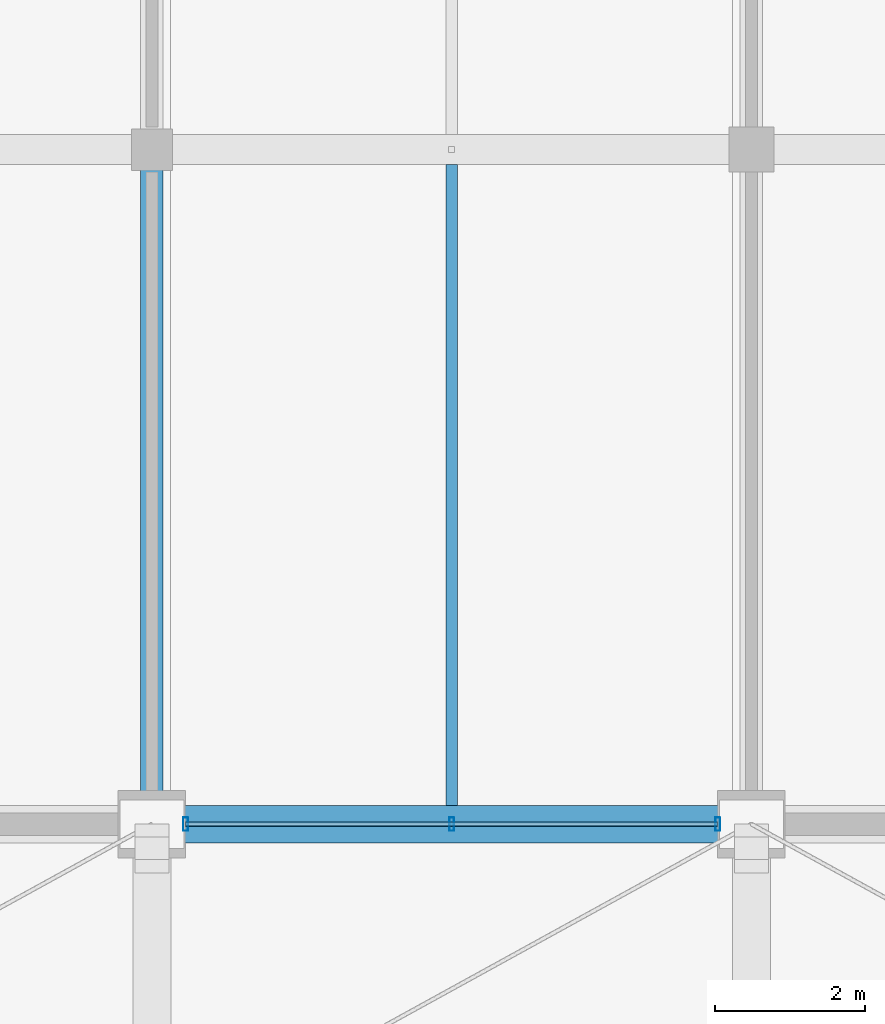
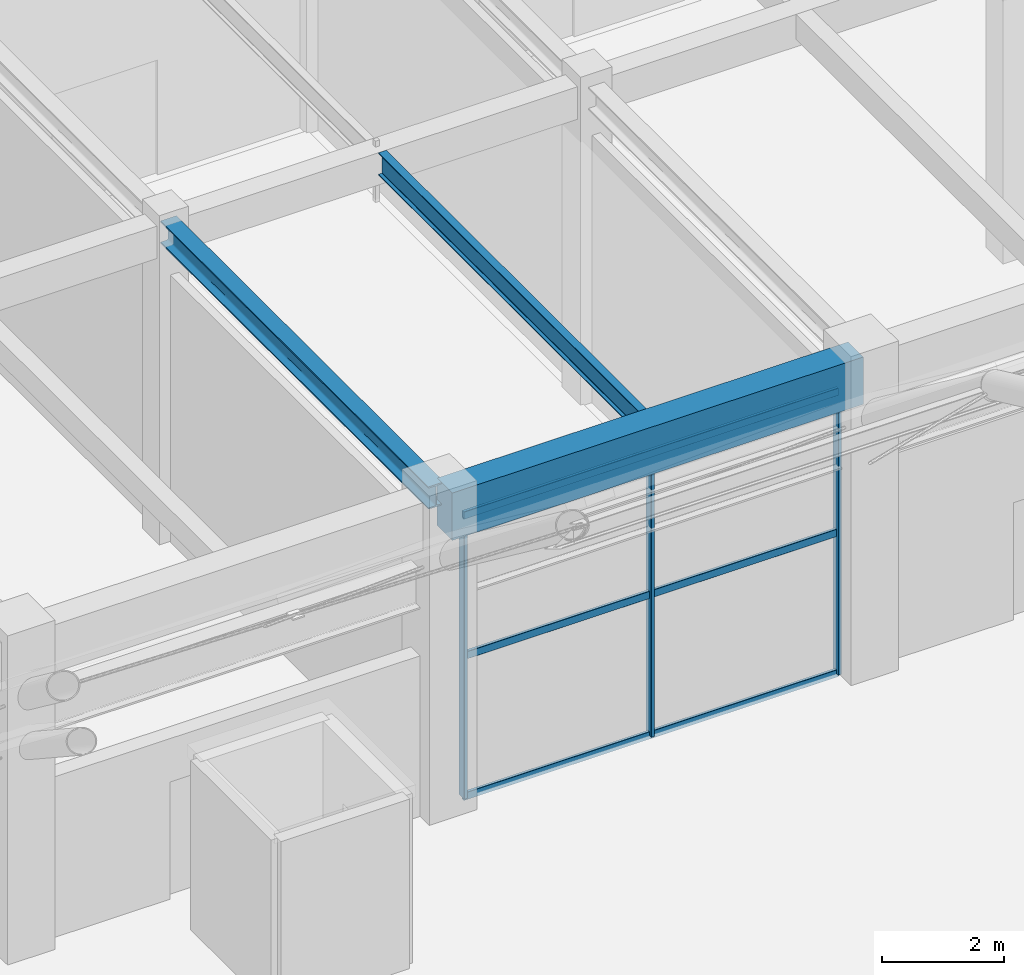
# One storey, part 83 of 163: 6 members, 3 beams, 1 element without a shape of its own.
"""IFC4 building model written with IfcOpenShell, lengths in metres."""

from ifc_helpers import new_model, si_unit, direction, frame, origin, origin_2d, place, context, subcontext, project, spatial, rectangle, hollow_rectangle, i_section, extrude, material, material_profile, profile_set, type_object, element, aggregate, save


model = new_model("IFC4")

# Units and contexts
model_context = context("Model", 3, precision=1e-05, world=origin(), true_north=direction((0.0, 1.0)))
body_context = subcontext(model_context, "Body", "Model", "MODEL_VIEW")
ifc_project = project(units=[si_unit("LENGTHUNIT", "METRE"), si_unit("AREAUNIT", "SQUARE_METRE"), si_unit("VOLUMEUNIT", "CUBIC_METRE"), si_unit("PLANEANGLEUNIT", "RADIAN"), si_unit("MASSUNIT", "GRAM", prefix="KILO")], contexts=[model_context])

# Site, building, storey
site_placement = place(None, origin())
site = spatial("IfcSite", under=ifc_project, at=site_placement, CompositionType="ELEMENT")
building_placement = place(site_placement, origin())
building = spatial("IfcBuilding", under=site, at=building_placement, Name="Varnabhumi Central Station", CompositionType="ELEMENT")
storey_placement = place(building_placement, frame((0.0, 0.0, 9.60009765625)))
storey = spatial("IfcBuildingStorey", under=building, at=storey_placement, Name="L02", CompositionType="ELEMENT", Elevation=9.60009765625)

# Beams
ifc_material_1 = material(Name="Structural steel E350", Category="steel")
ifc_material_profile_1 = material_profile(ifc_material_1, i_section(OverallWidth=0.14990234375, OverallDepth=0.449951171875, WebThickness=0.009521484375, FlangeThickness=0.017333984375, FilletRadius=0.014892578125, at=origin_2d()), Name="Structural steel E350", Category="steel")
ifc_profile_set_1 = profile_set([ifc_material_profile_1], Name="Structural steel E350")
beam_type_1 = type_object("IfcBeamType", Name="BM-JST-ISMB450", PredefinedType="JOIST", material=ifc_profile_set_1)
beam_1_placement = place(storey_placement, frame((92.0, 80.25, 6.125), z_axis=(0.0, 1.0, 0.0), x_axis=(-1.0, 0.0, 0.0)))
element("IfcBeam", 1, at=beam_1_placement, inside=storey, type_object=beam_type_1, Name="Secondary Joist L02-12/13:K-L", PredefinedType="JOIST", context=body_context, shape_type="SweptSolid", body=[
    extrude(i_section(OverallWidth=0.14990234375, OverallDepth=0.449951171875, WebThickness=0.009521484375, FlangeThickness=0.017333984375, FilletRadius=0.014892578125, at=origin_2d()), origin(), (0.0, 0.0, 1.0), 8.550048828125),
])
ifc_material_2 = material(Name="Concrete M40", Category="concrete")
ifc_material_profile_2 = material_profile(ifc_material_2, rectangle(XDim=0.5, YDim=0.949951171875, at=origin_2d()), Name="Concrete M40", Category="concrete")
ifc_profile_set_2 = profile_set([ifc_material_profile_2], Name="Concrete M40")
beam_type_2 = type_object("IfcBeamType", Name="BM-RC-950x500", PredefinedType="BEAM", material=ifc_profile_set_2)
beam_2_placement = place(storey_placement, frame((88.10009765625, 80.0, 5.875), z_axis=(1.0, 0.0, 0.0), x_axis=(0.0, 1.0, 0.0)))
element("IfcBeam", 2, at=beam_2_placement, inside=storey, type_object=beam_type_2, Name="Beam L02-K:12-13", PredefinedType="BEAM", context=body_context, shape_type="SweptSolid", body=[
    extrude(rectangle(XDim=0.5, YDim=0.949951171875, at=origin_2d()), origin(), (0.0, 0.0, 1.0), 7.7998046875),
])
ifc_material_profile_3 = material_profile(ifc_material_1, i_section(OverallWidth=0.300048828125, OverallDepth=0.449951171875, WebThickness=0.013916015625, FlangeThickness=0.02587890625, FilletRadius=0.027099609375, at=origin_2d()), Name="Structural steel E350", Category="steel")
ifc_profile_set_3 = profile_set([ifc_material_profile_3], Name="Structural steel E350")
beam_type_3 = type_object("IfcBeamType", Name="BM-STL-WPB450", PredefinedType="BEAM", material=ifc_profile_set_3)
beam_3_placement = place(storey_placement, frame((88.0, 80.10009765625, 6.125), z_axis=(0.0, 1.0, 0.0), x_axis=(-1.0, 0.0, 0.0)))
element("IfcBeam", 3, at=beam_3_placement, inside=storey, type_object=beam_type_3, Name="Beam L02-12:K-L", PredefinedType="BEAM", context=body_context, shape_type="SweptSolid", body=[
    extrude(i_section(OverallWidth=0.300048828125, OverallDepth=0.449951171875, WebThickness=0.013916015625, FlangeThickness=0.02587890625, FilletRadius=0.027099609375, at=origin_2d()), origin(), (0.0, 0.0, 1.0), 8.7998046875),
])

# Curtain wall, members
ifc_material_3 = material(Name="Anodised aluminium 6063-T6", Category="aluminium")
curtain_wall_type = type_object("IfcCurtainWallType", Name="CW-SPINE-SCREEN-L2", PredefinedType="NOTDEFINED", material=ifc_material_3)
curtain_wall_placement = place(storey_placement, origin())
curtain_wall = element("IfcCurtainWall", 4, at=curtain_wall_placement, inside=storey, type_object=curtain_wall_type, Name="Curtain Wall CW-NS208", PredefinedType="NOTDEFINED")
ifc_material_profile_4 = material_profile(ifc_material_3, hollow_rectangle(XDim=0.06494140625, YDim=0.179931640625, WallThickness=0.00390625, InnerFilletRadius=0.001953125, OuterFilletRadius=0.006103515625, at=origin_2d()), Name="Anodised aluminium 6063-T6", Category="aluminium")
ifc_profile_set_4 = profile_set([ifc_material_profile_4], Name="Anodised aluminium 6063-T6")
member_type_1 = type_object("IfcMemberType", Name="CW-MUL-180", PredefinedType="MULLION", material=ifc_profile_set_4)
member_1_placement = place(storey_placement, frame((88.449951171875, 80.0, 0.0), z_axis=(0.0, 0.0, 1.0), x_axis=(1.0, 0.0, 0.0)))
member_1 = element("IfcMember", 5, at=member_1_placement, type_object=member_type_1, Name="Curtain Wall Mullion CW-NS208-M1", PredefinedType="MULLION", context=body_context, shape_type="SweptSolid", body=[
    extrude(hollow_rectangle(XDim=0.06494140625, YDim=0.179931640625, WallThickness=0.00390625, InnerFilletRadius=0.001953125, OuterFilletRadius=0.006103515625, at=origin_2d()), origin(), (0.0, 0.0, 1.0), 5.639892578125),
])
member_2_placement = place(storey_placement, frame((92.0, 80.0, 0.0), z_axis=(0.0, 0.0, 1.0), x_axis=(1.0, 0.0, 0.0)))
member_2 = element("IfcMember", 6, at=member_2_placement, type_object=member_type_1, Name="Curtain Wall Mullion CW-NS208-M2", PredefinedType="MULLION", context=body_context, shape_type="SweptSolid", body=[
    extrude(hollow_rectangle(XDim=0.06494140625, YDim=0.179931640625, WallThickness=0.00390625, InnerFilletRadius=0.001953125, OuterFilletRadius=0.006103515625, at=origin_2d()), origin(), (0.0, 0.0, 1.0), 5.639892578125),
])
member_3_placement = place(storey_placement, frame((95.550048828125, 80.0, 0.0), z_axis=(0.0, 0.0, 1.0), x_axis=(1.0, 0.0, 0.0)))
member_3 = element("IfcMember", 7, at=member_3_placement, type_object=member_type_1, Name="Curtain Wall Mullion CW-NS208-M3", PredefinedType="MULLION", context=body_context, shape_type="SweptSolid", body=[
    extrude(hollow_rectangle(XDim=0.06494140625, YDim=0.179931640625, WallThickness=0.00390625, InnerFilletRadius=0.001953125, OuterFilletRadius=0.006103515625, at=origin_2d()), origin(), (0.0, 0.0, 1.0), 5.639892578125),
])
ifc_material_profile_5 = material_profile(ifc_material_3, hollow_rectangle(XDim=0.06005859375, YDim=0.14990234375, WallThickness=0.00390625, InnerFilletRadius=0.001953125, OuterFilletRadius=0.006103515625, at=origin_2d()), Name="Anodised aluminium 6063-T6", Category="aluminium")
ifc_profile_set_5 = profile_set([ifc_material_profile_5], Name="Anodised aluminium 6063-T6")
member_type_2 = type_object("IfcMemberType", Name="CW-TR-150", PredefinedType="USERDEFINED", material=ifc_profile_set_5)
member_4_placement = place(storey_placement, frame((88.449951171875, 80.0, 0.0), z_axis=(1.0, 0.0, 0.0), x_axis=(0.0, 1.0, 0.0)))
member_4 = element("IfcMember", 8, at=member_4_placement, type_object=member_type_2, Name="Curtain Wall Transom CW-NS208-T1", ObjectType="TRANSOM", PredefinedType="USERDEFINED", context=body_context, shape_type="SweptSolid", body=[
    extrude(hollow_rectangle(XDim=0.06005859375, YDim=0.14990234375, WallThickness=0.00390625, InnerFilletRadius=0.001953125, OuterFilletRadius=0.006103515625, at=origin_2d()), origin(), (0.0, 0.0, 1.0), 7.10009765625),
])
member_5_placement = place(storey_placement, frame((88.449951171875, 80.0, 2.81982421875), z_axis=(1.0, 0.0, 0.0), x_axis=(0.0, 1.0, 0.0)))
member_5 = element("IfcMember", 9, at=member_5_placement, type_object=member_type_2, Name="Curtain Wall Transom CW-NS208-T2", ObjectType="TRANSOM", PredefinedType="USERDEFINED", context=body_context, shape_type="SweptSolid", body=[
    extrude(hollow_rectangle(XDim=0.06005859375, YDim=0.14990234375, WallThickness=0.00390625, InnerFilletRadius=0.001953125, OuterFilletRadius=0.006103515625, at=origin_2d()), origin(), (0.0, 0.0, 1.0), 7.10009765625),
])
member_6_placement = place(storey_placement, frame((88.449951171875, 80.0, 5.639892578125), z_axis=(1.0, 0.0, 0.0), x_axis=(0.0, 1.0, 0.0)))
member_6 = element("IfcMember", 10, at=member_6_placement, type_object=member_type_2, Name="Curtain Wall Transom CW-NS208-T3", ObjectType="TRANSOM", PredefinedType="USERDEFINED", context=body_context, shape_type="SweptSolid", body=[
    extrude(hollow_rectangle(XDim=0.06005859375, YDim=0.14990234375, WallThickness=0.00390625, InnerFilletRadius=0.001953125, OuterFilletRadius=0.006103515625, at=origin_2d()), origin(), (0.0, 0.0, 1.0), 7.10009765625),
])
aggregate(curtain_wall, [member_1, member_2, member_3, member_4, member_5, member_6])

save(model, "model.ifc")
